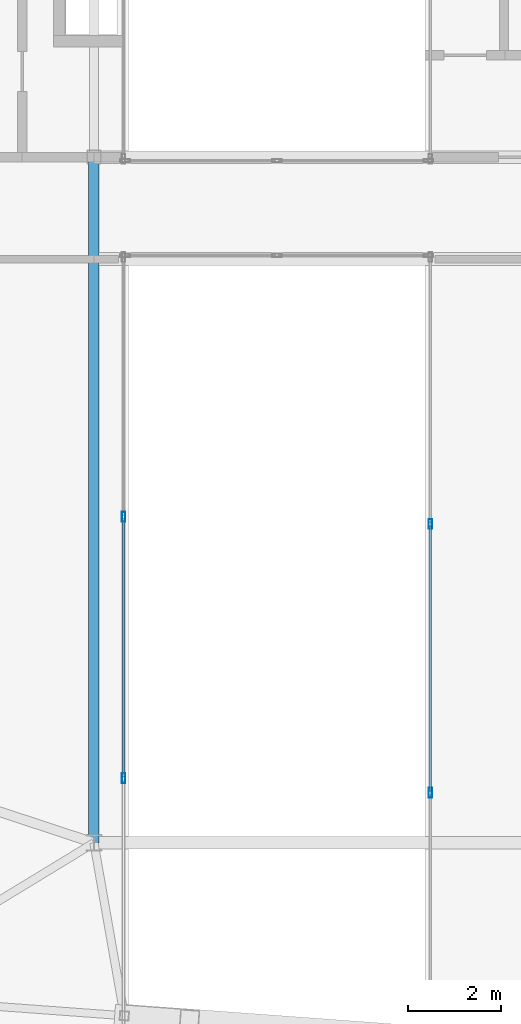
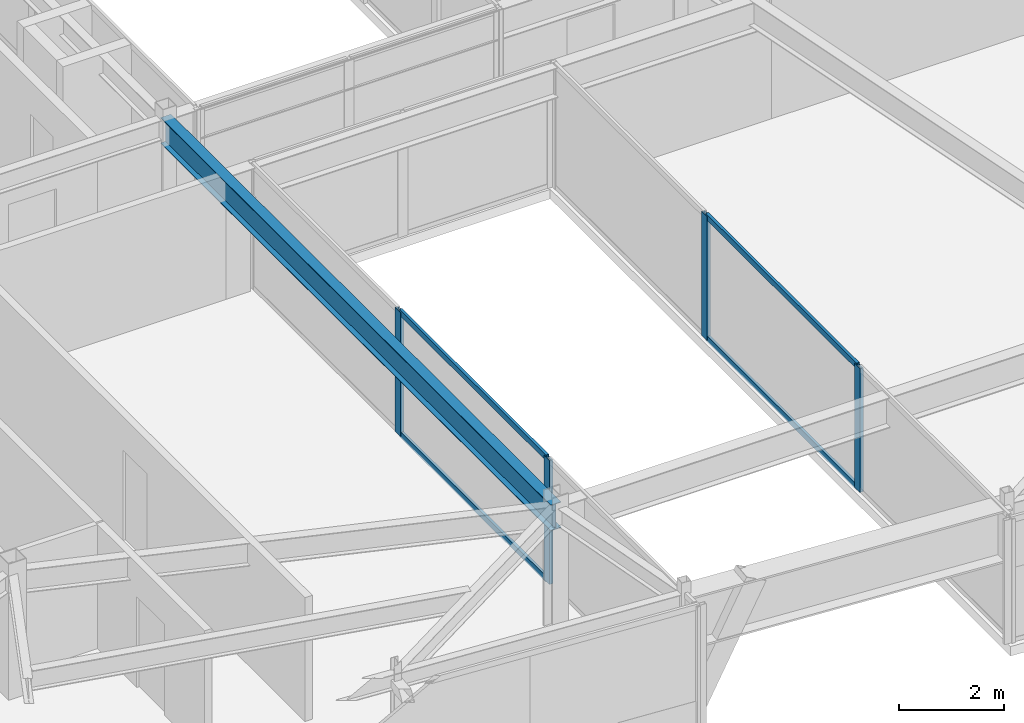
# One storey, part 13 of 40: 8 members, 1 beam, 2 elements without a shape of their own.
"""IFC4 building model written with IfcOpenShell, lengths in metres."""

from ifc_helpers import new_model, si_unit, direction, frame, origin, origin_2d, place, context, subcontext, project, spatial, hollow_rectangle, i_section, extrude, source, transform, mapped, material, layer, layer_set, material_profile, profile_set, type_object, element, aggregate, save


model = new_model("IFC4")

# Units and contexts
model_context = context("Model", 3, precision=1e-05, world=origin(), true_north=direction((0.0, 1.0)))
body_context = subcontext(model_context, "Body", "Model", "MODEL_VIEW")
ifc_project = project(units=[si_unit("LENGTHUNIT", "METRE"), si_unit("AREAUNIT", "SQUARE_METRE"), si_unit("VOLUMEUNIT", "CUBIC_METRE"), si_unit("PLANEANGLEUNIT", "RADIAN"), si_unit("MASSUNIT", "GRAM", prefix="KILO")], contexts=[model_context])

# Site, building, storey
site_placement = place(None, origin())
site = spatial("IfcSite", under=ifc_project, at=site_placement, CompositionType="ELEMENT")
building_placement = place(site_placement, origin())
building = spatial("IfcBuilding", under=site, at=building_placement, Name="Taldren Reach Tower", CompositionType="ELEMENT")
storey_placement = place(building_placement, frame((0.0, 0.0, 233.449951171875)))
storey = spatial("IfcBuildingStorey", under=building, at=storey_placement, Name="L71", CompositionType="ELEMENT", Elevation=233.449951171875)

# Beam
ifc_material_1 = material(Name="Steel Gr 350 (350PLUS)", Category="steel")
ifc_material_profile_1 = material_profile(ifc_material_1, i_section(OverallWidth=0.22802734375, OverallDepth=0.60205078125, WebThickness=0.010498046875, FlangeThickness=0.014892578125, at=origin_2d()), Name="610UB101")
ifc_profile_set_1 = profile_set([ifc_material_profile_1], Name="Steel Gr 350 (350PLUS)")
beam_type = type_object("IfcBeamType", Name="BM-UB610B", PredefinedType="BEAM", material=ifc_profile_set_1)
shared_shape_1 = source(origin(), body_context, "Body", "SweptSolid", [
    extrude(i_section(OverallWidth=0.22802734375, OverallDepth=0.60205078125, WebThickness=0.010498046875, FlangeThickness=0.014892578125, at=origin_2d()), origin(), (0.0, 0.0, 1.0), 14.800048828125),
])
beam_placement = place(storey_placement, frame((28.0, 24.0, 2.569091796875), z_axis=(0.0, -1.0, 0.0), x_axis=(1.0, 0.0, 0.0)))
element("IfcBeam", 1, at=beam_placement, inside=storey, type_object=beam_type, Name="Core-spine girder L71-SP14", PredefinedType="BEAM", context=body_context, shape_type="MappedRepresentation", body=[
    mapped(shared_shape_1, transform((0.0, 0.0, 0.0), scale=1.0)),
])

# Curtain wall, members
ifc_material_2 = material(Name="Aluminium and Low-E Glass Unitised System", Category="aluminium")
ifc_layer = layer(ifc_material_2, 0.159912109375)
ifc_layer_set = layer_set([ifc_layer], Name="Aluminium and Low-E Glass Unitised System")
curtain_wall_type = type_object("IfcCurtainWallType", Name="CW-SYS-7", PredefinedType="NOTDEFINED", material=ifc_layer_set)
curtain_wall_1_placement = place(storey_placement, origin())
curtain_wall_1 = element("IfcCurtainWall", 2, at=curtain_wall_1_placement, inside=storey, type_object=curtain_wall_type, Name="Unitised curtain wall CW7-L71-PSW", PredefinedType="NOTDEFINED")
ifc_material_3 = material(Name="Anodised Aluminium 6063-T6", Category="aluminium")
ifc_material_profile_2 = material_profile(ifc_material_3, hollow_rectangle(XDim=0.06005859375, YDim=0.135009765625, WallThickness=0.00341796875, at=origin_2d()), Name="ALU-135x60x3.5RHS")
ifc_profile_set_2 = profile_set([ifc_material_profile_2], Name="Anodised Aluminium 6063-T6")
member_type_1 = type_object("IfcMemberType", Name="CW-TRN-150", PredefinedType="USERDEFINED", material=ifc_profile_set_2)
shared_shape_2 = source(origin(), body_context, "Body", "SweptSolid", [
    extrude(hollow_rectangle(XDim=0.06005859375, YDim=0.135009765625, WallThickness=0.00341796875, at=origin_2d()), origin(), (0.0, 0.0, 1.0), 5.568359375),
])
member_1_placement = place(storey_placement, frame((28.639892578125, 10.630615234375, 0.030029296875), z_axis=(0.0, 1.0, 0.0), x_axis=(-1.0, 0.0, 0.0)))
member_1 = element("IfcMember", 3, at=member_1_placement, type_object=member_type_1, Name="CW-7 transom 2.1", ObjectType="TRANSOM", PredefinedType="USERDEFINED", context=body_context, shape_type="MappedRepresentation", body=[
    mapped(shared_shape_2, transform((0.0, 0.0, 0.0), scale=1.0)),
])
member_2_placement = place(storey_placement, frame((28.639892578125, 10.630615234375, 2.840087890625), z_axis=(0.0, 1.0, 0.0), x_axis=(-1.0, 0.0, 0.0)))
member_2 = element("IfcMember", 4, at=member_2_placement, type_object=member_type_1, Name="CW-7 transom 2.2", ObjectType="TRANSOM", PredefinedType="USERDEFINED", context=body_context, shape_type="MappedRepresentation", body=[
    mapped(shared_shape_2, transform((0.0, 0.0, 0.0), scale=1.0)),
])

curtain_wall_2_placement = place(storey_placement, origin())
curtain_wall_2 = element("IfcCurtainWall", 5, at=curtain_wall_2_placement, inside=storey, type_object=curtain_wall_type, Name="Unitised curtain wall CW7-L71-PSE", PredefinedType="NOTDEFINED")
shared_shape_3 = source(origin(), body_context, "Body", "SweptSolid", [
    extrude(hollow_rectangle(XDim=0.06005859375, YDim=0.135009765625, WallThickness=0.00341796875, at=origin_2d()), origin(), (0.0, 0.0, 1.0), 5.72509765625),
])
member_3_placement = place(storey_placement, frame((35.260009765625, 16.042236328125, 0.030029296875), z_axis=(0.0, -1.0, 0.0), x_axis=(1.0, 0.0, 0.0)))
member_3 = element("IfcMember", 6, at=member_3_placement, type_object=member_type_1, Name="CW-7 transom 2.1", ObjectType="TRANSOM", PredefinedType="USERDEFINED", context=body_context, shape_type="MappedRepresentation", body=[
    mapped(shared_shape_3, transform((0.0, 0.0, 0.0), scale=1.0)),
])
member_4_placement = place(storey_placement, frame((35.260009765625, 16.042236328125, 2.840087890625), z_axis=(0.0, -1.0, 0.0), x_axis=(1.0, 0.0, 0.0)))
member_4 = element("IfcMember", 7, at=member_4_placement, type_object=member_type_1, Name="CW-7 transom 2.2", ObjectType="TRANSOM", PredefinedType="USERDEFINED", context=body_context, shape_type="MappedRepresentation", body=[
    mapped(shared_shape_3, transform((0.0, 0.0, 0.0), scale=1.0)),
])

# Member
ifc_material_profile_3 = material_profile(ifc_material_3, hollow_rectangle(XDim=0.074951171875, YDim=0.2099609375, WallThickness=0.00439453125, at=origin_2d()), Name="ALU-210x75x4.5RHS")
ifc_profile_set_3 = profile_set([ifc_material_profile_3], Name="Anodised Aluminium 6063-T6")
member_type_2 = type_object("IfcMemberType", Name="CW-MUL-200", PredefinedType="MULLION", material=ifc_profile_set_3)
shared_shape_4 = source(origin(), body_context, "Body", "SweptSolid", [
    extrude(hollow_rectangle(XDim=0.074951171875, YDim=0.2099609375, WallThickness=0.00439453125, at=origin_2d()), origin(), (0.0, 0.0, 1.0), 2.8701171875),
])
member_5_placement = place(storey_placement, frame((28.639892578125, 10.593017578125, 0.0), z_axis=(0.0, 0.0, 1.0), x_axis=(-1.0, 0.0, 0.0)))
member_5 = element("IfcMember", 8, at=member_5_placement, type_object=member_type_2, Name="CW-7 mullion 2", PredefinedType="MULLION", context=body_context, shape_type="MappedRepresentation", body=[
    mapped(shared_shape_4, transform((0.0, 0.0, 0.0), scale=1.0)),
])

member_6_placement = place(storey_placement, frame((28.639892578125, 16.236572265625, 0.0), z_axis=(0.0, 0.0, 1.0), x_axis=(-1.0, 0.0, 0.0)))
member_6 = element("IfcMember", 9, at=member_6_placement, type_object=member_type_2, Name="CW-7 mullion 3", PredefinedType="MULLION", context=body_context, shape_type="MappedRepresentation", body=[
    mapped(shared_shape_4, transform((0.0, 0.0, 0.0), scale=1.0)),
])

aggregate(curtain_wall_1, [member_5, member_6, member_1, member_2])

member_7_placement = place(storey_placement, frame((35.260009765625, 16.079833984375, 0.0), z_axis=(0.0, 0.0, 1.0), x_axis=(1.0, 0.0, 0.0)))
member_7 = element("IfcMember", 10, at=member_7_placement, type_object=member_type_2, Name="CW-7 mullion 2", PredefinedType="MULLION", context=body_context, shape_type="MappedRepresentation", body=[
    mapped(shared_shape_4, transform((0.0, 0.0, 0.0), scale=1.0)),
])

member_8_placement = place(storey_placement, frame((35.260009765625, 10.27978515625, 0.0), z_axis=(0.0, 0.0, 1.0), x_axis=(1.0, 0.0, 0.0)))
member_8 = element("IfcMember", 11, at=member_8_placement, type_object=member_type_2, Name="CW-7 mullion 3", PredefinedType="MULLION", context=body_context, shape_type="MappedRepresentation", body=[
    mapped(shared_shape_4, transform((0.0, 0.0, 0.0), scale=1.0)),
])

aggregate(curtain_wall_2, [member_7, member_8, member_3, member_4])

save(model, "model.ifc")
